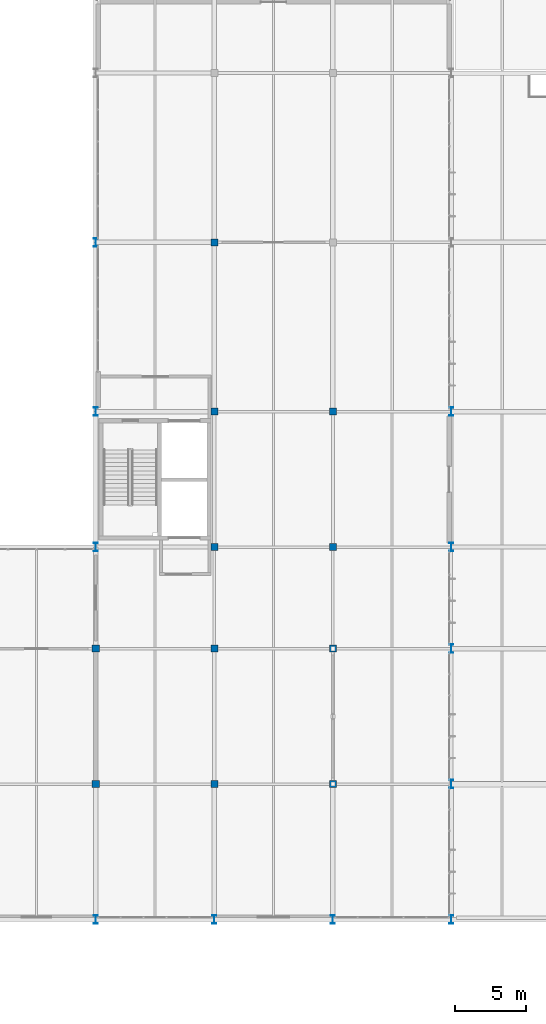
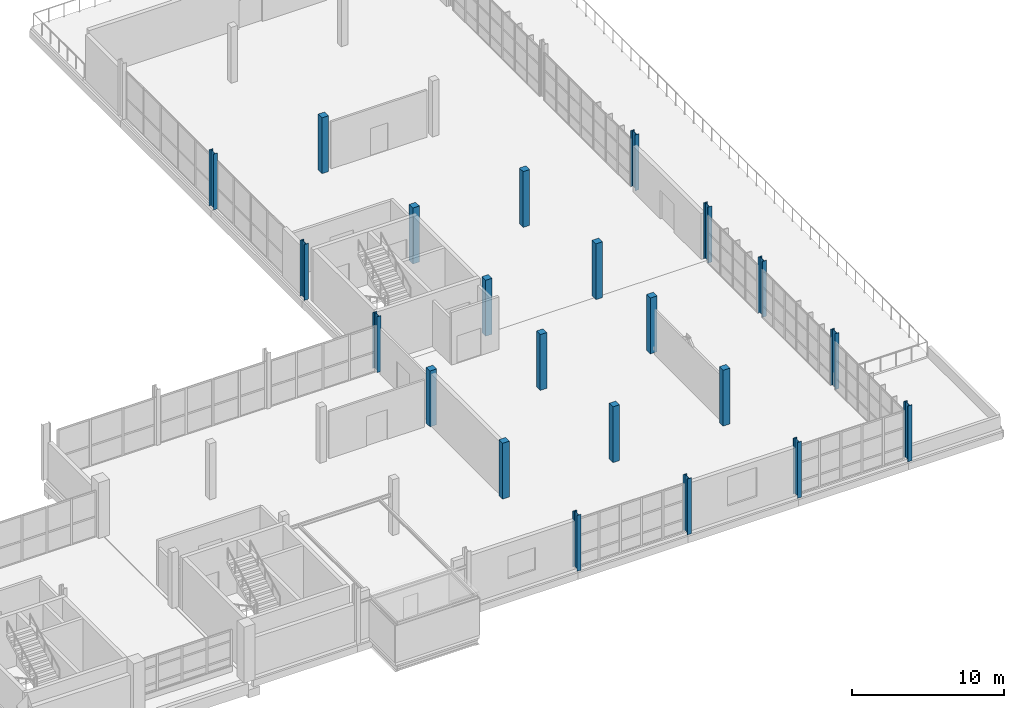
# One storey, part 9 of 109: 22 columns.
"""IFC4 building model written with IfcOpenShell, lengths in metres."""

from ifc_helpers import new_model, si_unit, direction, frame, origin, origin_2d, place, context, subcontext, project, spatial, rectangle, i_section, extrude, material, material_profile, profile_set, type_object, element, save


model = new_model("IFC4")

# Units and contexts
model_context = context("Model", 3, precision=1e-05, world=origin(), true_north=direction((0.0, 1.0)))
body_context = subcontext(model_context, "Body", "Model", "MODEL_VIEW")
ifc_project = project(units=[si_unit("LENGTHUNIT", "METRE"), si_unit("AREAUNIT", "SQUARE_METRE"), si_unit("VOLUMEUNIT", "CUBIC_METRE"), si_unit("PLANEANGLEUNIT", "RADIAN"), si_unit("MASSUNIT", "GRAM", prefix="KILO")], contexts=[model_context])

# Site, building, storey
site_placement = place(None, origin())
site = spatial("IfcSite", under=ifc_project, at=site_placement, CompositionType="ELEMENT")
building_placement = place(site_placement, origin())
building = spatial("IfcBuilding", under=site, at=building_placement, Name="Veltarok Museum of Natural Sciences", CompositionType="ELEMENT")
storey_placement = place(building_placement, frame((0.0, 0.0, 17.39990234375)))
storey = spatial("IfcBuildingStorey", under=building, at=storey_placement, Name="L03", CompositionType="ELEMENT", Elevation=17.39990234375)

# Columns
ifc_material_1 = material(Name="Steel S355J2", Category="steel")
ifc_material_profile_1 = material_profile(ifc_material_1, i_section(OverallWidth=0.300048828125, OverallDepth=0.60009765625, WebThickness=0.015380859375, FlangeThickness=0.030029296875, FilletRadius=0.027099609375, at=origin_2d()), Name="HEB 600")
ifc_profile_set_1 = profile_set([ifc_material_profile_1], Name="Steel S355J2")
column_type_1 = type_object("IfcColumnType", Name="Perimeter Passage Column HEB 600", PredefinedType="COLUMN", material=ifc_profile_set_1)
for number, where, z_axis, x_axis, name in (
    (1, (132.39990234375, 0.0, 0.0), (0.0, 0.0, 1.0), (1.0, 0.0, 0.0), "Column COL-EXT02 L03 16/A"),
    (2, (132.39990234375, 26.39990234375, 0.0), (0.0, 0.0, 1.0), (1.0, 0.0, 0.0), "Column COL-EXT02 L03 16/D"),
    (3, (132.39990234375, 36.0, 0.0), (0.0, 0.0, 1.0), (1.0, 0.0, 0.0), "Column COL-EXT02 L03 16/E"),
    (4, (132.39990234375, 48.0, 0.0), (0.0, 0.0, 1.0), (1.0, 0.0, 0.0), "Column COL-EXT02 L03 16/F"),
    (5, (140.800048828125, 0.0, 0.0), (0.0, 0.0, 1.0), (1.0, 0.0, 0.0), "Column COL-EXT02 L03 17/A"),
    (6, (149.199951171875, 0.0, 0.0), (0.0, 0.0, 1.0), (1.0, 0.0, 0.0), "Column COL-EXT02 L03 18/A"),
    (7, (157.60009765625, 0.0, 0.0), (0.0, 0.0, 1.0), (1.0, 0.0, 0.0), "Column COL-EXT02 L03 19/A"),
    (8, (157.60009765625, 9.60009765625, 0.0), (0.0, 0.0, 1.0), (1.0, 0.0, 0.0), "Column COL-EXT02 L03 19/B"),
    (9, (157.60009765625, 19.199951171875, 0.0), (0.0, 0.0, 1.0), (1.0, 0.0, 0.0), "Column COL-EXT02 L03 19/C"),
    (10, (157.60009765625, 26.39990234375, 0.0), (0.0, 0.0, 1.0), (1.0, 0.0, 0.0), "Column COL-EXT02 L03 19/D"),
    (11, (157.60009765625, 36.0, 0.0), (0.0, 0.0, 1.0), (1.0, 0.0, 0.0), "Column COL-EXT02 L03 19/E"),
):
    element("IfcColumn", number, at=place(storey_placement, frame(where, z_axis=z_axis, x_axis=x_axis)), inside=storey, type_object=column_type_1, Name=name, PredefinedType="COLUMN", context=body_context, shape_type="SweptSolid", body=[
        extrude(i_section(OverallWidth=0.300048828125, OverallDepth=0.60009765625, WebThickness=0.015380859375, FlangeThickness=0.030029296875, FilletRadius=0.027099609375, at=origin_2d()), origin(), (0.0, 0.0, 1.0), 4.5),
    ])
ifc_material_2 = material(Name="Concrete C40/50", Category="concrete")
ifc_material_profile_2 = material_profile(ifc_material_2, rectangle(XDim=0.5, YDim=0.5, at=origin_2d()), Name="RC 500x500")
ifc_profile_set_2 = profile_set([ifc_material_profile_2], Name="Concrete C40/50")
column_type_2 = type_object("IfcColumnType", Name="Upper Lab Column RC 500x500", PredefinedType="COLUMN", material=ifc_profile_set_2)
for number, where, z_axis, x_axis, name in (
    (12, (132.39990234375, 9.60009765625, 0.0), (0.0, 0.0, 1.0), (1.0, 0.0, 0.0), "Column COL-RC03 L03 16/B"),
    (13, (132.39990234375, 19.199951171875, 0.0), (0.0, 0.0, 1.0), (1.0, 0.0, 0.0), "Column COL-RC03 L03 16/C"),
    (14, (140.800048828125, 9.60009765625, 0.0), (0.0, 0.0, 1.0), (1.0, 0.0, 0.0), "Column COL-RC03 L03 17/B"),
    (15, (140.800048828125, 19.199951171875, 0.0), (0.0, 0.0, 1.0), (1.0, 0.0, 0.0), "Column COL-RC03 L03 17/C"),
    (16, (140.800048828125, 26.39990234375, 0.0), (0.0, 0.0, 1.0), (1.0, 0.0, 0.0), "Column COL-RC03 L03 17/D"),
    (17, (140.800048828125, 36.0, 0.0), (0.0, 0.0, 1.0), (1.0, 0.0, 0.0), "Column COL-RC03 L03 17/E"),
    (18, (140.800048828125, 48.0, 0.0), (0.0, 0.0, 1.0), (1.0, 0.0, 0.0), "Column COL-RC03 L03 17/F"),
    (19, (149.199951171875, 9.60009765625, 0.0), (0.0, 0.0, 1.0), (1.0, 0.0, 0.0), "Column COL-RC03 L03 18/B"),
    (20, (149.199951171875, 19.199951171875, 0.0), (0.0, 0.0, 1.0), (1.0, 0.0, 0.0), "Column COL-RC03 L03 18/C"),
    (21, (149.199951171875, 26.39990234375, 0.0), (0.0, 0.0, 1.0), (1.0, 0.0, 0.0), "Column COL-RC03 L03 18/D"),
    (22, (149.199951171875, 36.0, 0.0), (0.0, 0.0, 1.0), (1.0, 0.0, 0.0), "Column COL-RC03 L03 18/E"),
):
    element("IfcColumn", number, at=place(storey_placement, frame(where, z_axis=z_axis, x_axis=x_axis)), inside=storey, type_object=column_type_2, Name=name, PredefinedType="COLUMN", context=body_context, shape_type="SweptSolid", body=[
        extrude(rectangle(XDim=0.5, YDim=0.5, at=origin_2d()), origin(), (0.0, 0.0, 1.0), 4.5),
    ])

save(model, "model.ifc")
